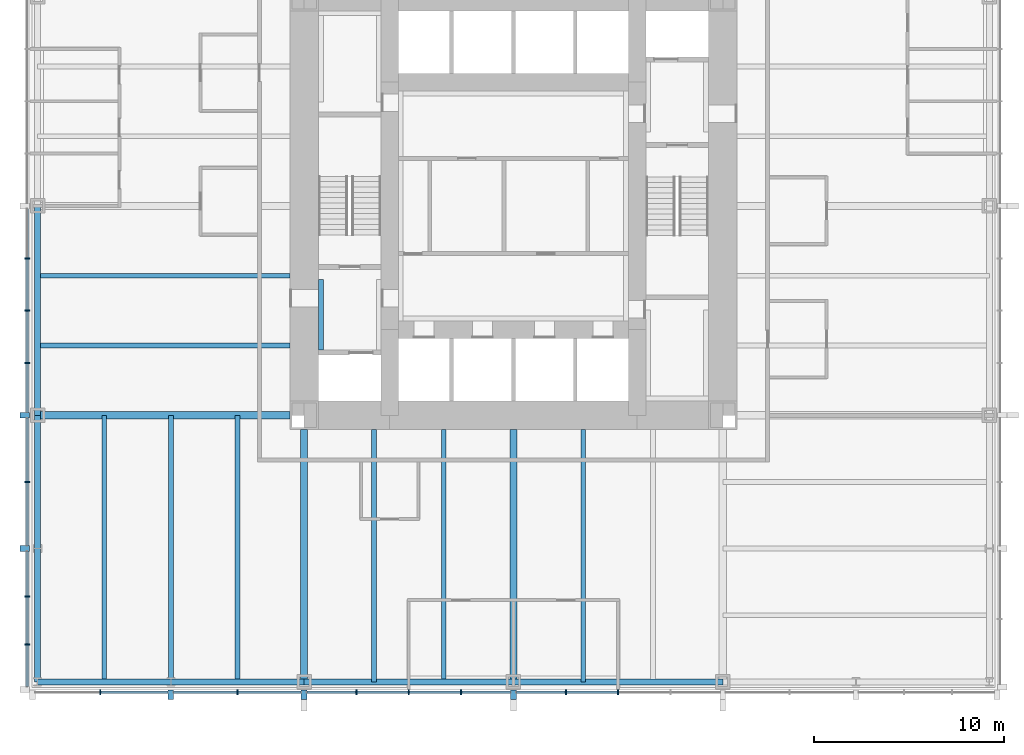
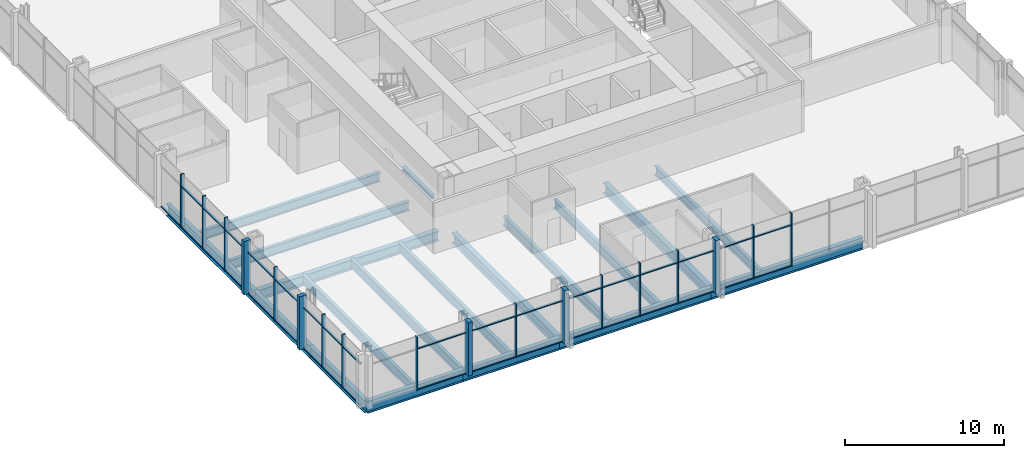
# One storey, part 2 of 12: 53 members, 19 beams, 2 elements without a shape of their own.
"""IFC4 building model written with IfcOpenShell, lengths in metres."""

import ifcopenshell
import ifcopenshell.guid

model = None  # the IFC model being written
_history = None  # IfcOwnerHistory: only IFC2X3 demands one
_inside = {}  # id of a spatial element -> (the spatial element, [elements in it])
_under = {}  # id of a project, library or spatial element -> (it, [spatial elements below it])
_declared = {}  # id of a project -> (the project, [libraries it declares])
_typed = {}  # id of a type object -> (the type object, [elements of that type])
_made_of = {}  # id of a material, layer set ... -> (it, [elements and type objects made of it])


def new_model(schema):
    """Start an empty IFC model of exactly this schema.

    Asked for "IFC4X3", IfcOpenShell would pick the latest addendum, in which some entities
    have other attributes; the version numbers below select the first issue.
    IFC2X3 requires an IfcOwnerHistory on every rooted entity: one is made here for all.
    """
    global model, _history
    if schema == "IFC4X3":
        model = ifcopenshell.file(schema_version=(4, 3, 0, 0))
    else:
        model = ifcopenshell.file(schema=schema)
    _inside.clear()
    _under.clear()
    _declared.clear()
    _typed.clear()
    _made_of.clear()
    _history = None
    if model.schema == "IFC2X3":
        org = make("IfcOrganization", Name="unknown")
        user = make(
            "IfcPersonAndOrganization",
            ThePerson=make("IfcPerson", FamilyName="unknown"),
            TheOrganization=org,
        )
        app = make(
            "IfcApplication",
            ApplicationDeveloper=org,
            Version="unknown",
            ApplicationFullName="unknown",
            ApplicationIdentifier="unknown",
        )
        _history = make(
            "IfcOwnerHistory",
            OwningUser=user,
            OwningApplication=app,
            ChangeAction="ADDED",
            CreationDate=0,
        )
    return model


def make(cls, **values):
    """One entity of the class cls with the attributes given. An attribute that is None is left unset."""
    return model.create_entity(
        cls, **{name: value for name, value in values.items() if value is not None}
    )


def rooted(cls, **values):
    """An entity with a GlobalId (a new one), such as an element, a storey or a relation."""
    return make(cls, GlobalId=ifcopenshell.guid.new(), OwnerHistory=_history, **values)


def si_unit(unit_type, name, prefix=None):
    """IfcSIUnit, for example si_unit("LENGTHUNIT", "METRE", prefix="MILLI")."""
    return make("IfcSIUnit", UnitType=unit_type, Prefix=prefix, Name=name)


def assignment(units):
    """IfcUnitAssignment: the units of a project."""
    return None if units is None else make("IfcUnitAssignment", Units=units)


def point(xyz):
    """IfcCartesianPoint."""
    return None if xyz is None else make("IfcCartesianPoint", Coordinates=xyz)


def direction(xyz):
    """IfcDirection."""
    return None if xyz is None else make("IfcDirection", DirectionRatios=xyz)


def frame(location, z_axis=None, x_axis=None):
    """IfcAxis2Placement3D, a coordinate frame: its origin and axes. An axis left out is left unset."""
    return make(
        "IfcAxis2Placement3D",
        Location=point(location),
        Axis=direction(z_axis),
        RefDirection=direction(x_axis),
    )


def frame_2d(location, x_axis=None):
    """IfcAxis2Placement2D, a coordinate frame in the plane: its origin and x axis."""
    return make(
        "IfcAxis2Placement2D", Location=point(location), RefDirection=direction(x_axis)
    )


def origin():
    """The frame at (0, 0, 0) with its axes left unset."""
    return frame((0.0, 0.0, 0.0))


def origin_2d():
    """The frame at (0, 0) in the plane with its x axis left unset."""
    return frame_2d((0.0, 0.0))


def place(relative_to, where):
    """IfcLocalPlacement: puts the frame where relative to a parent placement (None: the world)."""
    return make(
        "IfcLocalPlacement", PlacementRelTo=relative_to, RelativePlacement=where
    )


def context(
    kind, dimensions, precision=None, world=None, true_north=None, identifier=None
):
    """IfcGeometricRepresentationContext, for example the 3D "Model" context."""
    return make(
        "IfcGeometricRepresentationContext",
        ContextIdentifier=identifier,
        ContextType=kind,
        CoordinateSpaceDimension=dimensions,
        Precision=precision,
        WorldCoordinateSystem=world,
        TrueNorth=true_north,
    )


def subcontext(parent, identifier, kind, view, scale=None):
    """IfcGeometricRepresentationSubContext, for example "Body" below "Model"."""
    return make(
        "IfcGeometricRepresentationSubContext",
        ContextIdentifier=identifier,
        ContextType=kind,
        ParentContext=parent,
        TargetScale=scale,
        TargetView=view,
    )


def project(units=None, contexts=None):
    """IfcProject with its units and contexts."""
    return rooted(
        "IfcProject",
        Name="project",
        RepresentationContexts=contexts,
        UnitsInContext=assignment(units),
    )


def spatial(cls, under=None, at=None, **own):
    """A site, building, storey or space (cls), placed at a placement, below another one or the project."""
    s = rooted(cls, ObjectPlacement=at, **own)
    if under is not None:
        _under.setdefault(under.id(), (under, []))[1].append(s)
    return s


def profile(cls, at=None, kind="AREA", **sizes):
    """A parametric profile (cls). Its sizes go by their IFC names, for example OverallWidth=200.0."""
    return make(cls, ProfileType=kind, Position=at, **sizes)


def rectangle(**sizes):
    """IfcRectangleProfileDef."""
    return profile("IfcRectangleProfileDef", **sizes)


def i_section(**sizes):
    """IfcIShapeProfileDef."""
    return profile("IfcIShapeProfileDef", **sizes)


def extrude(swept, where, along, depth):
    """IfcExtrudedAreaSolid: the profile swept, set in the frame where, extruded along a direction by depth."""
    return make(
        "IfcExtrudedAreaSolid",
        SweptArea=swept,
        Position=where,
        ExtrudedDirection=direction(along),
        Depth=depth,
    )


def shape(context_of_items, identifier, shape_type, items):
    """IfcShapeRepresentation: the items that make up one representation, for example the "Body"."""
    return make(
        "IfcShapeRepresentation",
        ContextOfItems=context_of_items,
        RepresentationIdentifier=identifier,
        RepresentationType=shape_type,
        Items=items,
    )


def material(Name=None, Category=None):
    """IfcMaterial."""
    return make("IfcMaterial", Name=Name, Category=Category)


def material_profile(
    of_material, cross_section, Name=None, Category=None, Priority=None
):
    """IfcMaterialProfile: a cross section and its material."""
    return make(
        "IfcMaterialProfile",
        Name=Name,
        Material=of_material,
        Profile=cross_section,
        Priority=Priority,
        Category=Category,
    )


def profile_set(profiles, Name=None, composite=None):
    """IfcMaterialProfileSet."""
    return make(
        "IfcMaterialProfileSet",
        Name=Name,
        MaterialProfiles=profiles,
        CompositeProfile=composite,
    )


def made_of(thing, what):
    """Note that an element or type object is made of a material, layer set ...; save() writes the relation."""
    if what is not None:
        _made_of.setdefault(what.id(), (what, []))[1].append(thing)
    return thing


def type_object(cls, material=None, **own):
    """A type object (cls), such as IfcWallType, which elements share."""
    return made_of(rooted(cls, **own), material)


def element(
    cls,
    number,
    at=None,
    inside=None,
    cuts=None,
    type_object=None,
    material=None,
    context=None,
    identifier="Body",
    shape_type=None,
    held_by="IfcProductDefinitionShape",
    body=None,
    shapes=None,
    **own,
):
    """One element of the class cls, such as IfcWall. Its Tag is "e" and its number.

    at: its placement. inside: the storey or other place that contains it. cuts: it is an
    opening in that element (IfcRelVoidsElement). A single representation is given by context,
    identifier, shape_type and body (its items); several are given by shapes. held_by: the class
    of the entity that holds the representations. save() writes the other relations.
    """
    e = rooted(cls, Tag="e%d" % number, ObjectPlacement=at, **own)
    if body is not None:
        shapes = [shape(context, identifier, shape_type, body)]
    if shapes is not None:
        e.Representation = make(held_by, Representations=shapes)
    if inside is not None:
        _inside.setdefault(inside.id(), (inside, []))[1].append(e)
    if cuts is not None:
        rooted(
            "IfcRelVoidsElement", RelatingBuildingElement=cuts, RelatedOpeningElement=e
        )
    if type_object is not None:
        _typed.setdefault(type_object.id(), (type_object, []))[1].append(e)
    return made_of(e, material)


def aggregate(whole, parts):
    """IfcRelAggregates: a whole, such as a stair, and the parts it consists of."""
    return rooted("IfcRelAggregates", RelatingObject=whole, RelatedObjects=parts)


def save(model, path):
    """Write the relations noted so far, then the file.

    IfcRelAggregates (storeys below a building ...), IfcRelContainedInSpatialStructure (elements
    in a storey), IfcRelDefinesByType, IfcRelAssociatesMaterial and IfcRelDeclares: one each for
    every whole, place, type object, material and project.
    """
    for whole, parts in _under.values():
        aggregate(whole, parts)
    for where, things in _inside.values():
        rooted(
            "IfcRelContainedInSpatialStructure",
            RelatedElements=things,
            RelatingStructure=where,
        )
    for kind, things in _typed.values():
        rooted("IfcRelDefinesByType", RelatedObjects=things, RelatingType=kind)
    for what, things in _made_of.values():
        rooted("IfcRelAssociatesMaterial", RelatedObjects=things, RelatingMaterial=what)
    for by, libraries in _declared.values():
        rooted("IfcRelDeclares", RelatingContext=by, RelatedDefinitions=libraries)
    model.write(path)


model = new_model("IFC4")

# Units and contexts
model_context = context("Model", 3, precision=1e-05, world=origin(), true_north=direction((0.0, 1.0)))
body_context = subcontext(model_context, "Body", "Model", "MODEL_VIEW")
ifc_project = project(units=[si_unit("LENGTHUNIT", "METRE"), si_unit("AREAUNIT", "SQUARE_METRE"), si_unit("VOLUMEUNIT", "CUBIC_METRE"), si_unit("PLANEANGLEUNIT", "RADIAN"), si_unit("MASSUNIT", "GRAM", prefix="KILO")], contexts=[model_context])

# Site, building, storey
site_placement = place(None, origin())
site = spatial("IfcSite", under=ifc_project, at=site_placement, CompositionType="ELEMENT")
building_placement = place(site_placement, origin())
building = spatial("IfcBuilding", under=site, at=building_placement, Name="Trevanion Tower", CompositionType="ELEMENT")
storey_placement = place(building_placement, frame((0.0, 0.0, 61.10009765625)))
storey = spatial("IfcBuildingStorey", under=building, at=storey_placement, Name="L14", CompositionType="ELEMENT", Elevation=61.10009765625)

# Beams
ifc_material_1 = material(Name="Steel ASTM A992 Grade 50", Category="steel")
ifc_material_profile_1 = material_profile(ifc_material_1, i_section(OverallWidth=0.25390625, OverallDepth=0.700927734375, WebThickness=0.015380859375, FlangeThickness=0.02783203125, at=origin_2d()), Name="W27X129")
ifc_profile_set_1 = profile_set([ifc_material_profile_1], Name="Steel ASTM A992 Grade 50")
beam_type_1 = type_object("IfcBeamType", Name="B3 W27X129", PredefinedType="BEAM", material=ifc_profile_set_1)
for number, where, z_axis, x_axis, name in (
    (1, (-11.75, -3.666748046875, -0.54052734375), (-1.0, 0.0, 0.0), (0.0, -1.0, 0.0), "B3 L14"),
    (2, (-11.75, -7.333251953125, -0.54052734375), (-1.0, 0.0, 0.0), (0.0, -1.0, 0.0), "B3 L14"),
    (3, (-7.333251953125, -11.75, -0.54052734375), (0.0, -1.0, 0.0), (1.0, 0.0, 0.0), "B3 L14"),
    (4, (-3.666748046875, -11.75, -0.54052734375), (0.0, -1.0, 0.0), (1.0, 0.0, 0.0), "B3 L14"),
    (5, (3.666748046875, -11.75, -0.54052734375), (0.0, -1.0, 0.0), (1.0, 0.0, 0.0), "B3 L14"),
):
    element("IfcBeam", number, at=place(storey_placement, frame(where, z_axis=z_axis, x_axis=x_axis)), inside=storey, type_object=beam_type_1, Name=name, PredefinedType="BEAM", context=body_context, shape_type="SweptSolid", body=[
        extrude(i_section(OverallWidth=0.25390625, OverallDepth=0.700927734375, WebThickness=0.015380859375, FlangeThickness=0.02783203125, at=origin_2d()), origin(), (0.0, 0.0, 1.0), 13.25),
    ])
ifc_material_2 = material(Name="Steel ASTM A992 Grade 50", Category="steel")
ifc_material_profile_2 = material_profile(ifc_material_2, i_section(OverallWidth=0.256591796875, OverallDepth=0.693359375, WebThickness=0.014404296875, FlangeThickness=0.023681640625, at=origin_2d()), Name="W27X114")
ifc_profile_set_2 = profile_set([ifc_material_profile_2], Name="Steel ASTM A992 Grade 50")
beam_type_2 = type_object("IfcBeamType", Name="B4 W27X114", PredefinedType="BEAM", material=ifc_profile_set_2)
for number, where, z_axis, x_axis, name in (
    (6, (-14.5, -11.0, -0.536865234375), (0.0, -1.0, 0.0), (1.0, 0.0, 0.0), "B4 L14"),
    (7, (-18.0, -11.0, -0.536865234375), (0.0, -1.0, 0.0), (1.0, 0.0, 0.0), "B4 L14"),
    (8, (-21.5, -11.0, -0.536865234375), (0.0, -1.0, 0.0), (1.0, 0.0, 0.0), "B4 L14"),
):
    element("IfcBeam", number, at=place(storey_placement, frame(where, z_axis=z_axis, x_axis=x_axis)), inside=storey, type_object=beam_type_2, Name=name, PredefinedType="BEAM", context=body_context, shape_type="SweptSolid", body=[
        extrude(i_section(OverallWidth=0.256591796875, OverallDepth=0.693359375, WebThickness=0.014404296875, FlangeThickness=0.023681640625, at=origin_2d()), origin(), (0.0, 0.0, 1.0), 14.0),
    ])

# Curtain wall, members
ifc_material_3 = material(Name="Aluminium and glass", Category="aluminium")
curtain_wall_type = type_object("IfcCurtainWallType", Name="CW1 curtain wall", PredefinedType="USERDEFINED", material=ifc_material_3)
curtain_wall_1_placement = place(storey_placement, origin())
curtain_wall_1 = element("IfcCurtainWall", 9, at=curtain_wall_1_placement, inside=storey, type_object=curtain_wall_type, Name="CW1 L14 2", ObjectType="UNITISED CURTAIN WALL", PredefinedType="USERDEFINED")
ifc_material_4 = material(Name="Aluminium extrusion, anodised bronze", Category="aluminium")
ifc_material_profile_3 = material_profile(ifc_material_4, rectangle(XDim=0.074951171875, YDim=0.25, at=origin_2d()), Name="CW1 mullion")
ifc_profile_set_3 = profile_set([ifc_material_profile_3], Name="Aluminium extrusion, anodised bronze")
member_type_1 = type_object("IfcMemberType", Name="CW1 mullion", PredefinedType="MULLION", material=ifc_profile_set_3)
member_1_placement = place(storey_placement, frame((-25.550048828125, -2.75, -0.190185546875), z_axis=(0.0, 0.0, 1.0), x_axis=(0.0, -1.0, 0.0)))
member_1 = element("IfcMember", 10, at=member_1_placement, type_object=member_type_1, Name="CW1 mullion 10", PredefinedType="MULLION", context=body_context, shape_type="SweptSolid", body=[
    extrude(rectangle(XDim=0.074951171875, YDim=0.25, at=origin_2d()), origin(), (0.0, 0.0, 1.0), 4.10009765625),
])
member_2_placement = place(storey_placement, frame((-25.550048828125, -5.5, -0.190185546875), z_axis=(0.0, 0.0, 1.0), x_axis=(0.0, -1.0, 0.0)))
member_2 = element("IfcMember", 11, at=member_2_placement, type_object=member_type_1, Name="CW1 mullion 11", PredefinedType="MULLION", context=body_context, shape_type="SweptSolid", body=[
    extrude(rectangle(XDim=0.074951171875, YDim=0.25, at=origin_2d()), origin(), (0.0, 0.0, 1.0), 4.10009765625),
])
member_3_placement = place(storey_placement, frame((-25.550048828125, -8.25, -0.190185546875), z_axis=(0.0, 0.0, 1.0), x_axis=(0.0, -1.0, 0.0)))
member_3 = element("IfcMember", 12, at=member_3_placement, type_object=member_type_1, Name="CW1 mullion 12", PredefinedType="MULLION", context=body_context, shape_type="SweptSolid", body=[
    extrude(rectangle(XDim=0.074951171875, YDim=0.25, at=origin_2d()), origin(), (0.0, 0.0, 1.0), 4.10009765625),
])
member_4_placement = place(storey_placement, frame((-25.550048828125, -14.5, -0.190185546875), z_axis=(0.0, 0.0, 1.0), x_axis=(0.0, -1.0, 0.0)))
member_4 = element("IfcMember", 13, at=member_4_placement, type_object=member_type_1, Name="CW1 mullion 14", PredefinedType="MULLION", context=body_context, shape_type="SweptSolid", body=[
    extrude(rectangle(XDim=0.074951171875, YDim=0.25, at=origin_2d()), origin(), (0.0, 0.0, 1.0), 4.10009765625),
])
member_5_placement = place(storey_placement, frame((-25.550048828125, -20.5166015625, -0.190185546875), z_axis=(0.0, 0.0, 1.0), x_axis=(0.0, -1.0, 0.0)))
member_5 = element("IfcMember", 14, at=member_5_placement, type_object=member_type_1, Name="CW1 mullion 16", PredefinedType="MULLION", context=body_context, shape_type="SweptSolid", body=[
    extrude(rectangle(XDim=0.074951171875, YDim=0.25, at=origin_2d()), origin(), (0.0, 0.0, 1.0), 4.10009765625),
])
member_6_placement = place(storey_placement, frame((-25.550048828125, -23.033203125, -0.190185546875), z_axis=(0.0, 0.0, 1.0), x_axis=(0.0, -1.0, 0.0)))
member_6 = element("IfcMember", 15, at=member_6_placement, type_object=member_type_1, Name="CW1 mullion 17", PredefinedType="MULLION", context=body_context, shape_type="SweptSolid", body=[
    extrude(rectangle(XDim=0.074951171875, YDim=0.25, at=origin_2d()), origin(), (0.0, 0.0, 1.0), 4.10009765625),
])

curtain_wall_2_placement = place(storey_placement, origin())
curtain_wall_2 = element("IfcCurtainWall", 16, at=curtain_wall_2_placement, inside=storey, type_object=curtain_wall_type, Name="CW1 L14 3", ObjectType="UNITISED CURTAIN WALL", PredefinedType="USERDEFINED")
member_7_placement = place(storey_placement, frame((-21.7099609375, -25.550048828125, -0.190185546875), z_axis=(0.0, 0.0, 1.0), x_axis=(1.0, 0.0, 0.0)))
member_7 = element("IfcMember", 17, at=member_7_placement, type_object=member_type_1, Name="CW1 mullion 2", PredefinedType="MULLION", context=body_context, shape_type="SweptSolid", body=[
    extrude(rectangle(XDim=0.074951171875, YDim=0.25, at=origin_2d()), origin(), (0.0, 0.0, 1.0), 4.10009765625),
])
member_8_placement = place(storey_placement, frame((-14.5, -25.550048828125, -0.190185546875), z_axis=(0.0, 0.0, 1.0), x_axis=(1.0, 0.0, 0.0)))
member_8 = element("IfcMember", 18, at=member_8_placement, type_object=member_type_1, Name="CW1 mullion 4", PredefinedType="MULLION", context=body_context, shape_type="SweptSolid", body=[
    extrude(rectangle(XDim=0.074951171875, YDim=0.25, at=origin_2d()), origin(), (0.0, 0.0, 1.0), 4.10009765625),
])
member_9_placement = place(storey_placement, frame((-8.25, -25.550048828125, -0.190185546875), z_axis=(0.0, 0.0, 1.0), x_axis=(1.0, 0.0, 0.0)))
member_9 = element("IfcMember", 19, at=member_9_placement, type_object=member_type_1, Name="CW1 mullion 6", PredefinedType="MULLION", context=body_context, shape_type="SweptSolid", body=[
    extrude(rectangle(XDim=0.074951171875, YDim=0.25, at=origin_2d()), origin(), (0.0, 0.0, 1.0), 4.10009765625),
])
member_10_placement = place(storey_placement, frame((-5.5, -25.550048828125, -0.190185546875), z_axis=(0.0, 0.0, 1.0), x_axis=(1.0, 0.0, 0.0)))
member_10 = element("IfcMember", 20, at=member_10_placement, type_object=member_type_1, Name="CW1 mullion 7", PredefinedType="MULLION", context=body_context, shape_type="SweptSolid", body=[
    extrude(rectangle(XDim=0.074951171875, YDim=0.25, at=origin_2d()), origin(), (0.0, 0.0, 1.0), 4.10009765625),
])
member_11_placement = place(storey_placement, frame((-2.75, -25.550048828125, -0.190185546875), z_axis=(0.0, 0.0, 1.0), x_axis=(1.0, 0.0, 0.0)))
member_11 = element("IfcMember", 21, at=member_11_placement, type_object=member_type_1, Name="CW1 mullion 8", PredefinedType="MULLION", context=body_context, shape_type="SweptSolid", body=[
    extrude(rectangle(XDim=0.074951171875, YDim=0.25, at=origin_2d()), origin(), (0.0, 0.0, 1.0), 4.10009765625),
])
member_12_placement = place(storey_placement, frame((2.75, -25.550048828125, -0.190185546875), z_axis=(0.0, 0.0, 1.0), x_axis=(1.0, 0.0, 0.0)))
member_12 = element("IfcMember", 22, at=member_12_placement, type_object=member_type_1, Name="CW1 mullion 10", PredefinedType="MULLION", context=body_context, shape_type="SweptSolid", body=[
    extrude(rectangle(XDim=0.074951171875, YDim=0.25, at=origin_2d()), origin(), (0.0, 0.0, 1.0), 4.10009765625),
])
member_13_placement = place(storey_placement, frame((5.5, -25.550048828125, -0.190185546875), z_axis=(0.0, 0.0, 1.0), x_axis=(1.0, 0.0, 0.0)))
member_13 = element("IfcMember", 23, at=member_13_placement, type_object=member_type_1, Name="CW1 mullion 11", PredefinedType="MULLION", context=body_context, shape_type="SweptSolid", body=[
    extrude(rectangle(XDim=0.074951171875, YDim=0.25, at=origin_2d()), origin(), (0.0, 0.0, 1.0), 4.10009765625),
])

# Member
ifc_material_5 = material(Name="Aluminium extrusion, anodised bronze", Category="aluminium")
ifc_material_profile_4 = material_profile(ifc_material_5, rectangle(XDim=0.300048828125, YDim=0.5, at=origin_2d()), Name="CW1 pier mullion")
ifc_profile_set_4 = profile_set([ifc_material_profile_4], Name="Aluminium extrusion, anodised bronze")
member_type_2 = type_object("IfcMemberType", Name="CW1 pier mullion", PredefinedType="MULLION", material=ifc_profile_set_4)
member_14_placement = place(storey_placement, frame((-25.675048828125, -11.0, -0.190185546875), z_axis=(0.0, 0.0, 1.0), x_axis=(0.0, -1.0, 0.0)))
member_14 = element("IfcMember", 24, at=member_14_placement, type_object=member_type_2, Name="CW1 pier mullion 13", PredefinedType="MULLION", context=body_context, shape_type="SweptSolid", body=[
    extrude(rectangle(XDim=0.300048828125, YDim=0.5, at=origin_2d()), origin(), (0.0, 0.0, 1.0), 4.10009765625),
])

member_15_placement = place(storey_placement, frame((-25.675048828125, -18.0, -0.190185546875), z_axis=(0.0, 0.0, 1.0), x_axis=(0.0, -1.0, 0.0)))
member_15 = element("IfcMember", 25, at=member_15_placement, type_object=member_type_2, Name="CW1 pier mullion 15", PredefinedType="MULLION", context=body_context, shape_type="SweptSolid", body=[
    extrude(rectangle(XDim=0.300048828125, YDim=0.5, at=origin_2d()), origin(), (0.0, 0.0, 1.0), 4.10009765625),
])

member_16_placement = place(storey_placement, frame((-18.0, -25.675048828125, -0.190185546875), z_axis=(0.0, 0.0, 1.0), x_axis=(1.0, 0.0, 0.0)))
member_16 = element("IfcMember", 26, at=member_16_placement, type_object=member_type_2, Name="CW1 pier mullion 3", PredefinedType="MULLION", context=body_context, shape_type="SweptSolid", body=[
    extrude(rectangle(XDim=0.300048828125, YDim=0.5, at=origin_2d()), origin(), (0.0, 0.0, 1.0), 4.10009765625),
])

member_17_placement = place(storey_placement, frame((-11.0, -25.675048828125, -0.190185546875), z_axis=(0.0, 0.0, 1.0), x_axis=(1.0, 0.0, 0.0)))
member_17 = element("IfcMember", 27, at=member_17_placement, type_object=member_type_2, Name="CW1 pier mullion 5", PredefinedType="MULLION", context=body_context, shape_type="SweptSolid", body=[
    extrude(rectangle(XDim=0.300048828125, YDim=0.5, at=origin_2d()), origin(), (0.0, 0.0, 1.0), 4.10009765625),
])

member_18_placement = place(storey_placement, frame((0.0, -25.675048828125, -0.190185546875), z_axis=(0.0, 0.0, 1.0), x_axis=(1.0, 0.0, 0.0)))
member_18 = element("IfcMember", 28, at=member_18_placement, type_object=member_type_2, Name="CW1 pier mullion 9", PredefinedType="MULLION", context=body_context, shape_type="SweptSolid", body=[
    extrude(rectangle(XDim=0.300048828125, YDim=0.5, at=origin_2d()), origin(), (0.0, 0.0, 1.0), 4.10009765625),
])

ifc_material_6 = material(Name="Aluminium extrusion, anodised bronze", Category="aluminium")
ifc_material_profile_5 = material_profile(ifc_material_6, rectangle(XDim=0.14990234375, YDim=0.074951171875, at=origin_2d()), Name="CW1 transom")
ifc_profile_set_5 = profile_set([ifc_material_profile_5], Name="Aluminium extrusion, anodised bronze")
member_type_3 = type_object("IfcMemberType", Name="CW1 transom", PredefinedType="USERDEFINED", material=ifc_profile_set_5)
member_19_placement = place(storey_placement, frame((-25.550048828125, -0.14990234375, -0.152587890625), z_axis=(0.0, -1.0, 0.0), x_axis=(1.0, 0.0, 0.0)))
member_19 = element("IfcMember", 29, at=member_19_placement, type_object=member_type_3, Name="CW1 transom 9.1", ObjectType="TRANSOM", PredefinedType="USERDEFINED", context=body_context, shape_type="SweptSolid", body=[
    extrude(rectangle(XDim=0.14990234375, YDim=0.074951171875, at=origin_2d()), origin(), (0.0, 0.0, 1.0), 2.5625),
])

member_20_placement = place(storey_placement, frame((-25.550048828125, -2.78759765625, -0.152587890625), z_axis=(0.0, -1.0, 0.0), x_axis=(1.0, 0.0, 0.0)))
member_20 = element("IfcMember", 30, at=member_20_placement, type_object=member_type_3, Name="CW1 transom 10.1", ObjectType="TRANSOM", PredefinedType="USERDEFINED", context=body_context, shape_type="SweptSolid", body=[
    extrude(rectangle(XDim=0.14990234375, YDim=0.074951171875, at=origin_2d()), origin(), (0.0, 0.0, 1.0), 2.6748046875),
])

member_21_placement = place(storey_placement, frame((-25.550048828125, -2.78759765625, 2.9599609375), z_axis=(0.0, -1.0, 0.0), x_axis=(1.0, 0.0, 0.0)))
member_21 = element("IfcMember", 31, at=member_21_placement, type_object=member_type_3, Name="CW1 transom 10.2", ObjectType="TRANSOM", PredefinedType="USERDEFINED", context=body_context, shape_type="SweptSolid", body=[
    extrude(rectangle(XDim=0.14990234375, YDim=0.074951171875, at=origin_2d()), origin(), (0.0, 0.0, 1.0), 2.6748046875),
])

member_22_placement = place(storey_placement, frame((-25.550048828125, -5.53759765625, -0.152587890625), z_axis=(0.0, -1.0, 0.0), x_axis=(1.0, 0.0, 0.0)))
member_22 = element("IfcMember", 32, at=member_22_placement, type_object=member_type_3, Name="CW1 transom 11.1", ObjectType="TRANSOM", PredefinedType="USERDEFINED", context=body_context, shape_type="SweptSolid", body=[
    extrude(rectangle(XDim=0.14990234375, YDim=0.074951171875, at=origin_2d()), origin(), (0.0, 0.0, 1.0), 2.6748046875),
])

member_23_placement = place(storey_placement, frame((-25.550048828125, -5.53759765625, 2.9599609375), z_axis=(0.0, -1.0, 0.0), x_axis=(1.0, 0.0, 0.0)))
member_23 = element("IfcMember", 33, at=member_23_placement, type_object=member_type_3, Name="CW1 transom 11.2", ObjectType="TRANSOM", PredefinedType="USERDEFINED", context=body_context, shape_type="SweptSolid", body=[
    extrude(rectangle(XDim=0.14990234375, YDim=0.074951171875, at=origin_2d()), origin(), (0.0, 0.0, 1.0), 2.6748046875),
])

member_24_placement = place(storey_placement, frame((-25.550048828125, -8.28759765625, -0.152587890625), z_axis=(0.0, -1.0, 0.0), x_axis=(1.0, 0.0, 0.0)))
member_24 = element("IfcMember", 34, at=member_24_placement, type_object=member_type_3, Name="CW1 transom 12.1", ObjectType="TRANSOM", PredefinedType="USERDEFINED", context=body_context, shape_type="SweptSolid", body=[
    extrude(rectangle(XDim=0.14990234375, YDim=0.074951171875, at=origin_2d()), origin(), (0.0, 0.0, 1.0), 2.5625),
])

member_25_placement = place(storey_placement, frame((-25.550048828125, -8.28759765625, 2.9599609375), z_axis=(0.0, -1.0, 0.0), x_axis=(1.0, 0.0, 0.0)))
member_25 = element("IfcMember", 35, at=member_25_placement, type_object=member_type_3, Name="CW1 transom 12.2", ObjectType="TRANSOM", PredefinedType="USERDEFINED", context=body_context, shape_type="SweptSolid", body=[
    extrude(rectangle(XDim=0.14990234375, YDim=0.074951171875, at=origin_2d()), origin(), (0.0, 0.0, 1.0), 2.5625),
])

member_26_placement = place(storey_placement, frame((-25.550048828125, -11.14990234375, -0.152587890625), z_axis=(0.0, -1.0, 0.0), x_axis=(1.0, 0.0, 0.0)))
member_26 = element("IfcMember", 36, at=member_26_placement, type_object=member_type_3, Name="CW1 transom 13.1", ObjectType="TRANSOM", PredefinedType="USERDEFINED", context=body_context, shape_type="SweptSolid", body=[
    extrude(rectangle(XDim=0.14990234375, YDim=0.074951171875, at=origin_2d()), origin(), (0.0, 0.0, 1.0), 3.3125),
])

member_27_placement = place(storey_placement, frame((-25.550048828125, -11.14990234375, 2.9599609375), z_axis=(0.0, -1.0, 0.0), x_axis=(1.0, 0.0, 0.0)))
member_27 = element("IfcMember", 37, at=member_27_placement, type_object=member_type_3, Name="CW1 transom 13.2", ObjectType="TRANSOM", PredefinedType="USERDEFINED", context=body_context, shape_type="SweptSolid", body=[
    extrude(rectangle(XDim=0.14990234375, YDim=0.074951171875, at=origin_2d()), origin(), (0.0, 0.0, 1.0), 3.3125),
])

member_28_placement = place(storey_placement, frame((-25.550048828125, -14.53759765625, -0.152587890625), z_axis=(0.0, -1.0, 0.0), x_axis=(1.0, 0.0, 0.0)))
member_28 = element("IfcMember", 38, at=member_28_placement, type_object=member_type_3, Name="CW1 transom 14.1", ObjectType="TRANSOM", PredefinedType="USERDEFINED", context=body_context, shape_type="SweptSolid", body=[
    extrude(rectangle(XDim=0.14990234375, YDim=0.074951171875, at=origin_2d()), origin(), (0.0, 0.0, 1.0), 3.3125),
])

member_29_placement = place(storey_placement, frame((-25.550048828125, -14.53759765625, 2.9599609375), z_axis=(0.0, -1.0, 0.0), x_axis=(1.0, 0.0, 0.0)))
member_29 = element("IfcMember", 39, at=member_29_placement, type_object=member_type_3, Name="CW1 transom 14.2", ObjectType="TRANSOM", PredefinedType="USERDEFINED", context=body_context, shape_type="SweptSolid", body=[
    extrude(rectangle(XDim=0.14990234375, YDim=0.074951171875, at=origin_2d()), origin(), (0.0, 0.0, 1.0), 3.3125),
])

member_30_placement = place(storey_placement, frame((-25.550048828125, -18.14990234375, -0.152587890625), z_axis=(0.0, -1.0, 0.0), x_axis=(1.0, 0.0, 0.0)))
member_30 = element("IfcMember", 40, at=member_30_placement, type_object=member_type_3, Name="CW1 transom 15.1", ObjectType="TRANSOM", PredefinedType="USERDEFINED", context=body_context, shape_type="SweptSolid", body=[
    extrude(rectangle(XDim=0.14990234375, YDim=0.074951171875, at=origin_2d()), origin(), (0.0, 0.0, 1.0), 2.329345703125),
])

member_31_placement = place(storey_placement, frame((-25.550048828125, -18.14990234375, 2.9599609375), z_axis=(0.0, -1.0, 0.0), x_axis=(1.0, 0.0, 0.0)))
member_31 = element("IfcMember", 41, at=member_31_placement, type_object=member_type_3, Name="CW1 transom 15.2", ObjectType="TRANSOM", PredefinedType="USERDEFINED", context=body_context, shape_type="SweptSolid", body=[
    extrude(rectangle(XDim=0.14990234375, YDim=0.074951171875, at=origin_2d()), origin(), (0.0, 0.0, 1.0), 2.329345703125),
])

member_32_placement = place(storey_placement, frame((-25.550048828125, -20.55419921875, -0.152587890625), z_axis=(0.0, -1.0, 0.0), x_axis=(1.0, 0.0, 0.0)))
member_32 = element("IfcMember", 42, at=member_32_placement, type_object=member_type_3, Name="CW1 transom 16.1", ObjectType="TRANSOM", PredefinedType="USERDEFINED", context=body_context, shape_type="SweptSolid", body=[
    extrude(rectangle(XDim=0.14990234375, YDim=0.074951171875, at=origin_2d()), origin(), (0.0, 0.0, 1.0), 2.441650390625),
])

member_33_placement = place(storey_placement, frame((-25.550048828125, -20.55419921875, 2.9599609375), z_axis=(0.0, -1.0, 0.0), x_axis=(1.0, 0.0, 0.0)))
member_33 = element("IfcMember", 43, at=member_33_placement, type_object=member_type_3, Name="CW1 transom 16.2", ObjectType="TRANSOM", PredefinedType="USERDEFINED", context=body_context, shape_type="SweptSolid", body=[
    extrude(rectangle(XDim=0.14990234375, YDim=0.074951171875, at=origin_2d()), origin(), (0.0, 0.0, 1.0), 2.441650390625),
])

member_34_placement = place(storey_placement, frame((-25.550048828125, -23.07080078125, -0.152587890625), z_axis=(0.0, -1.0, 0.0), x_axis=(1.0, 0.0, 0.0)))
member_34 = element("IfcMember", 44, at=member_34_placement, type_object=member_type_3, Name="CW1 transom 17.1", ObjectType="TRANSOM", PredefinedType="USERDEFINED", context=body_context, shape_type="SweptSolid", body=[
    extrude(rectangle(XDim=0.14990234375, YDim=0.074951171875, at=origin_2d()), origin(), (0.0, 0.0, 1.0), 2.17919921875),
])

member_35_placement = place(storey_placement, frame((-25.550048828125, -23.07080078125, 2.9599609375), z_axis=(0.0, -1.0, 0.0), x_axis=(1.0, 0.0, 0.0)))
member_35 = element("IfcMember", 45, at=member_35_placement, type_object=member_type_3, Name="CW1 transom 17.2", ObjectType="TRANSOM", PredefinedType="USERDEFINED", context=body_context, shape_type="SweptSolid", body=[
    extrude(rectangle(XDim=0.14990234375, YDim=0.074951171875, at=origin_2d()), origin(), (0.0, 0.0, 1.0), 2.17919921875),
])

aggregate(curtain_wall_1, [member_1, member_2, member_3, member_14, member_4, member_15, member_5, member_6, member_19, member_20, member_21, member_22, member_23, member_24, member_25, member_26, member_27, member_28, member_29, member_30, member_31, member_32, member_33, member_34, member_35])

member_36_placement = place(storey_placement, frame((-21.672607421875, -25.550048828125, -0.152587890625), z_axis=(1.0, 0.0, 0.0), x_axis=(0.0, 1.0, 0.0)))
member_36 = element("IfcMember", 46, at=member_36_placement, type_object=member_type_3, Name="CW1 transom 2.1", ObjectType="TRANSOM", PredefinedType="USERDEFINED", context=body_context, shape_type="SweptSolid", body=[
    extrude(rectangle(XDim=0.14990234375, YDim=0.074951171875, at=origin_2d()), origin(), (0.0, 0.0, 1.0), 3.522705078125),
])

member_37_placement = place(storey_placement, frame((-21.672607421875, -25.550048828125, 2.9599609375), z_axis=(1.0, 0.0, 0.0), x_axis=(0.0, 1.0, 0.0)))
member_37 = element("IfcMember", 47, at=member_37_placement, type_object=member_type_3, Name="CW1 transom 2.2", ObjectType="TRANSOM", PredefinedType="USERDEFINED", context=body_context, shape_type="SweptSolid", body=[
    extrude(rectangle(XDim=0.14990234375, YDim=0.074951171875, at=origin_2d()), origin(), (0.0, 0.0, 1.0), 3.522705078125),
])

member_38_placement = place(storey_placement, frame((-17.85009765625, -25.550048828125, -0.152587890625), z_axis=(1.0, 0.0, 0.0), x_axis=(0.0, 1.0, 0.0)))
member_38 = element("IfcMember", 48, at=member_38_placement, type_object=member_type_3, Name="CW1 transom 3.1", ObjectType="TRANSOM", PredefinedType="USERDEFINED", context=body_context, shape_type="SweptSolid", body=[
    extrude(rectangle(XDim=0.14990234375, YDim=0.074951171875, at=origin_2d()), origin(), (0.0, 0.0, 1.0), 3.3125),
])

member_39_placement = place(storey_placement, frame((-17.85009765625, -25.550048828125, 2.9599609375), z_axis=(1.0, 0.0, 0.0), x_axis=(0.0, 1.0, 0.0)))
member_39 = element("IfcMember", 49, at=member_39_placement, type_object=member_type_3, Name="CW1 transom 3.2", ObjectType="TRANSOM", PredefinedType="USERDEFINED", context=body_context, shape_type="SweptSolid", body=[
    extrude(rectangle(XDim=0.14990234375, YDim=0.074951171875, at=origin_2d()), origin(), (0.0, 0.0, 1.0), 3.3125),
])

member_40_placement = place(storey_placement, frame((-14.46240234375, -25.550048828125, -0.152587890625), z_axis=(1.0, 0.0, 0.0), x_axis=(0.0, 1.0, 0.0)))
member_40 = element("IfcMember", 50, at=member_40_placement, type_object=member_type_3, Name="CW1 transom 4.1", ObjectType="TRANSOM", PredefinedType="USERDEFINED", context=body_context, shape_type="SweptSolid", body=[
    extrude(rectangle(XDim=0.14990234375, YDim=0.074951171875, at=origin_2d()), origin(), (0.0, 0.0, 1.0), 3.3125),
])

member_41_placement = place(storey_placement, frame((-14.46240234375, -25.550048828125, 2.9599609375), z_axis=(1.0, 0.0, 0.0), x_axis=(0.0, 1.0, 0.0)))
member_41 = element("IfcMember", 51, at=member_41_placement, type_object=member_type_3, Name="CW1 transom 4.2", ObjectType="TRANSOM", PredefinedType="USERDEFINED", context=body_context, shape_type="SweptSolid", body=[
    extrude(rectangle(XDim=0.14990234375, YDim=0.074951171875, at=origin_2d()), origin(), (0.0, 0.0, 1.0), 3.3125),
])

member_42_placement = place(storey_placement, frame((-10.85009765625, -25.550048828125, -0.152587890625), z_axis=(1.0, 0.0, 0.0), x_axis=(0.0, 1.0, 0.0)))
member_42 = element("IfcMember", 52, at=member_42_placement, type_object=member_type_3, Name="CW1 transom 5.1", ObjectType="TRANSOM", PredefinedType="USERDEFINED", context=body_context, shape_type="SweptSolid", body=[
    extrude(rectangle(XDim=0.14990234375, YDim=0.074951171875, at=origin_2d()), origin(), (0.0, 0.0, 1.0), 2.5625),
])

member_43_placement = place(storey_placement, frame((-10.85009765625, -25.550048828125, 2.9599609375), z_axis=(1.0, 0.0, 0.0), x_axis=(0.0, 1.0, 0.0)))
member_43 = element("IfcMember", 53, at=member_43_placement, type_object=member_type_3, Name="CW1 transom 5.2", ObjectType="TRANSOM", PredefinedType="USERDEFINED", context=body_context, shape_type="SweptSolid", body=[
    extrude(rectangle(XDim=0.14990234375, YDim=0.074951171875, at=origin_2d()), origin(), (0.0, 0.0, 1.0), 2.5625),
])

member_44_placement = place(storey_placement, frame((-8.21240234375, -25.550048828125, -0.152587890625), z_axis=(1.0, 0.0, 0.0), x_axis=(0.0, 1.0, 0.0)))
member_44 = element("IfcMember", 54, at=member_44_placement, type_object=member_type_3, Name="CW1 transom 6.1", ObjectType="TRANSOM", PredefinedType="USERDEFINED", context=body_context, shape_type="SweptSolid", body=[
    extrude(rectangle(XDim=0.14990234375, YDim=0.074951171875, at=origin_2d()), origin(), (0.0, 0.0, 1.0), 2.6748046875),
])

member_45_placement = place(storey_placement, frame((-8.21240234375, -25.550048828125, 2.9599609375), z_axis=(1.0, 0.0, 0.0), x_axis=(0.0, 1.0, 0.0)))
member_45 = element("IfcMember", 55, at=member_45_placement, type_object=member_type_3, Name="CW1 transom 6.2", ObjectType="TRANSOM", PredefinedType="USERDEFINED", context=body_context, shape_type="SweptSolid", body=[
    extrude(rectangle(XDim=0.14990234375, YDim=0.074951171875, at=origin_2d()), origin(), (0.0, 0.0, 1.0), 2.6748046875),
])

member_46_placement = place(storey_placement, frame((-5.46240234375, -25.550048828125, -0.152587890625), z_axis=(1.0, 0.0, 0.0), x_axis=(0.0, 1.0, 0.0)))
member_46 = element("IfcMember", 56, at=member_46_placement, type_object=member_type_3, Name="CW1 transom 7.1", ObjectType="TRANSOM", PredefinedType="USERDEFINED", context=body_context, shape_type="SweptSolid", body=[
    extrude(rectangle(XDim=0.14990234375, YDim=0.074951171875, at=origin_2d()), origin(), (0.0, 0.0, 1.0), 2.6748046875),
])

member_47_placement = place(storey_placement, frame((-5.46240234375, -25.550048828125, 2.9599609375), z_axis=(1.0, 0.0, 0.0), x_axis=(0.0, 1.0, 0.0)))
member_47 = element("IfcMember", 57, at=member_47_placement, type_object=member_type_3, Name="CW1 transom 7.2", ObjectType="TRANSOM", PredefinedType="USERDEFINED", context=body_context, shape_type="SweptSolid", body=[
    extrude(rectangle(XDim=0.14990234375, YDim=0.074951171875, at=origin_2d()), origin(), (0.0, 0.0, 1.0), 2.6748046875),
])

member_48_placement = place(storey_placement, frame((-2.71240234375, -25.550048828125, -0.152587890625), z_axis=(1.0, 0.0, 0.0), x_axis=(0.0, 1.0, 0.0)))
member_48 = element("IfcMember", 58, at=member_48_placement, type_object=member_type_3, Name="CW1 transom 8.1", ObjectType="TRANSOM", PredefinedType="USERDEFINED", context=body_context, shape_type="SweptSolid", body=[
    extrude(rectangle(XDim=0.14990234375, YDim=0.074951171875, at=origin_2d()), origin(), (0.0, 0.0, 1.0), 2.5625),
])

member_49_placement = place(storey_placement, frame((-2.71240234375, -25.550048828125, 2.9599609375), z_axis=(1.0, 0.0, 0.0), x_axis=(0.0, 1.0, 0.0)))
member_49 = element("IfcMember", 59, at=member_49_placement, type_object=member_type_3, Name="CW1 transom 8.2", ObjectType="TRANSOM", PredefinedType="USERDEFINED", context=body_context, shape_type="SweptSolid", body=[
    extrude(rectangle(XDim=0.14990234375, YDim=0.074951171875, at=origin_2d()), origin(), (0.0, 0.0, 1.0), 2.5625),
])

member_50_placement = place(storey_placement, frame((0.14990234375, -25.550048828125, -0.152587890625), z_axis=(1.0, 0.0, 0.0), x_axis=(0.0, 1.0, 0.0)))
member_50 = element("IfcMember", 60, at=member_50_placement, type_object=member_type_3, Name="CW1 transom 9.1", ObjectType="TRANSOM", PredefinedType="USERDEFINED", context=body_context, shape_type="SweptSolid", body=[
    extrude(rectangle(XDim=0.14990234375, YDim=0.074951171875, at=origin_2d()), origin(), (0.0, 0.0, 1.0), 2.5625),
])

member_51_placement = place(storey_placement, frame((0.14990234375, -25.550048828125, 2.9599609375), z_axis=(1.0, 0.0, 0.0), x_axis=(0.0, 1.0, 0.0)))
member_51 = element("IfcMember", 61, at=member_51_placement, type_object=member_type_3, Name="CW1 transom 9.2", ObjectType="TRANSOM", PredefinedType="USERDEFINED", context=body_context, shape_type="SweptSolid", body=[
    extrude(rectangle(XDim=0.14990234375, YDim=0.074951171875, at=origin_2d()), origin(), (0.0, 0.0, 1.0), 2.5625),
])

member_52_placement = place(storey_placement, frame((2.78759765625, -25.550048828125, -0.152587890625), z_axis=(1.0, 0.0, 0.0), x_axis=(0.0, 1.0, 0.0)))
member_52 = element("IfcMember", 62, at=member_52_placement, type_object=member_type_3, Name="CW1 transom 10.1", ObjectType="TRANSOM", PredefinedType="USERDEFINED", context=body_context, shape_type="SweptSolid", body=[
    extrude(rectangle(XDim=0.14990234375, YDim=0.074951171875, at=origin_2d()), origin(), (0.0, 0.0, 1.0), 2.6748046875),
])

member_53_placement = place(storey_placement, frame((2.78759765625, -25.550048828125, 2.9599609375), z_axis=(1.0, 0.0, 0.0), x_axis=(0.0, 1.0, 0.0)))
member_53 = element("IfcMember", 63, at=member_53_placement, type_object=member_type_3, Name="CW1 transom 10.2", ObjectType="TRANSOM", PredefinedType="USERDEFINED", context=body_context, shape_type="SweptSolid", body=[
    extrude(rectangle(XDim=0.14990234375, YDim=0.074951171875, at=origin_2d()), origin(), (0.0, 0.0, 1.0), 2.6748046875),
])

aggregate(curtain_wall_2, [member_7, member_16, member_8, member_17, member_9, member_10, member_11, member_18, member_12, member_13, member_36, member_37, member_38, member_39, member_40, member_41, member_42, member_43, member_44, member_45, member_46, member_47, member_48, member_49, member_50, member_51, member_52, member_53])

# Beams
ifc_material_7 = material(Name="Steel ASTM A992 Grade 50", Category="steel")
ifc_material_profile_6 = material_profile(ifc_material_7, i_section(OverallWidth=0.381103515625, OverallDepth=0.77978515625, WebThickness=0.01806640625, FlangeThickness=0.0302734375, at=origin_2d()), Name="W30X191")
ifc_profile_set_6 = profile_set([ifc_material_profile_6], Name="Steel ASTM A992 Grade 50")
beam_type_3 = type_object("IfcBeamType", Name="G2 W30X191", PredefinedType="BEAM", material=ifc_profile_set_6)
for number, where, z_axis, x_axis, name in (
    (64, (-11.75, -11.0, -0.580078125), (-1.0, 0.0, 0.0), (0.0, -1.0, 0.0), "G2 L14"),
    (65, (-11.0, -11.75, -0.580078125), (0.0, -1.0, 0.0), (1.0, 0.0, 0.0), "G2 L14"),
    (66, (0.0, -11.75, -0.580078125), (0.0, -1.0, 0.0), (1.0, 0.0, 0.0), "G2 L14"),
):
    element("IfcBeam", number, at=place(storey_placement, frame(where, z_axis=z_axis, x_axis=x_axis)), inside=storey, type_object=beam_type_3, Name=name, PredefinedType="BEAM", context=body_context, shape_type="SweptSolid", body=[
        extrude(i_section(OverallWidth=0.381103515625, OverallDepth=0.77978515625, WebThickness=0.01806640625, FlangeThickness=0.0302734375, at=origin_2d()), origin(), (0.0, 0.0, 1.0), 13.25),
    ])
ifc_material_8 = material(Name="Steel ASTM A992 Grade 50", Category="steel")
ifc_material_profile_7 = material_profile(ifc_material_8, i_section(OverallWidth=0.256591796875, OverallDepth=0.26416015625, WebThickness=0.011962890625, FlangeThickness=0.01953125, at=origin_2d()), Name="W10X68")
ifc_profile_set_7 = profile_set([ifc_material_profile_7], Name="Steel ASTM A992 Grade 50")
beam_type_4 = type_object("IfcBeamType", Name="LB1 W10X68", PredefinedType="BEAM", material=ifc_profile_set_7)
beam_1_placement = place(storey_placement, frame((-10.12158203125, -7.574951171875, -0.332275390625), z_axis=(0.0, 1.0, 0.0), x_axis=(-1.0, 0.0, 0.0)))
element("IfcBeam", 67, at=beam_1_placement, inside=storey, type_object=beam_type_4, Name="LB1 L14", PredefinedType="BEAM", context=body_context, shape_type="SweptSolid", body=[
    extrude(i_section(OverallWidth=0.256591796875, OverallDepth=0.26416015625, WebThickness=0.011962890625, FlangeThickness=0.01953125, at=origin_2d()), origin(), (0.0, 0.0, 1.0), 3.699951171875),
])
ifc_material_9 = material(Name="Steel ASTM A992 Grade 50", Category="steel")
ifc_material_profile_8 = material_profile(ifc_material_9, i_section(OverallWidth=0.307373046875, OverallDepth=0.927001953125, WebThickness=0.01953125, FlangeThickness=0.031982421875, at=origin_2d()), Name="W36X194")
ifc_profile_set_8 = profile_set([ifc_material_profile_8], Name="Steel ASTM A992 Grade 50")
beam_type_5 = type_object("IfcBeamType", Name="SB2 W36X194", PredefinedType="SPANDREL", material=ifc_profile_set_8)
beam_2_placement = place(storey_placement, frame((-25.0, 0.0, -0.653564453125), z_axis=(0.0, -1.0, 0.0), x_axis=(1.0, 0.0, 0.0)))
element("IfcBeam", 68, at=beam_2_placement, inside=storey, type_object=beam_type_5, Name="SB2 L14", PredefinedType="SPANDREL", context=body_context, shape_type="SweptSolid", body=[
    extrude(i_section(OverallWidth=0.307373046875, OverallDepth=0.927001953125, WebThickness=0.01953125, FlangeThickness=0.031982421875, at=origin_2d()), origin(), (0.0, 0.0, 1.0), 11.0),
])
for number, where, z_axis, x_axis, name in (
    (69, (-25.0, -11.0, -0.653564453125), (0.0, -1.0, 0.0), (1.0, 0.0, 0.0), "SB2 L14"),
    (70, (-25.0, -18.0, -0.653564453125), (0.0, -1.0, 0.0), (1.0, 0.0, 0.0), "SB2 L14"),
    (71, (-25.0, -25.0, -0.653564453125), (1.0, 0.0, 0.0), (0.0, 1.0, 0.0), "SB2 L14"),
    (72, (-18.0, -25.0, -0.653564453125), (1.0, 0.0, 0.0), (0.0, 1.0, 0.0), "SB2 L14"),
):
    element("IfcBeam", number, at=place(storey_placement, frame(where, z_axis=z_axis, x_axis=x_axis)), inside=storey, type_object=beam_type_5, Name=name, PredefinedType="SPANDREL", context=body_context, shape_type="SweptSolid", body=[
        extrude(i_section(OverallWidth=0.307373046875, OverallDepth=0.927001953125, WebThickness=0.01953125, FlangeThickness=0.031982421875, at=origin_2d()), origin(), (0.0, 0.0, 1.0), 7.0),
    ])
for number, where, z_axis, x_axis, name in (
    (73, (-11.0, -25.0, -0.653564453125), (1.0, 0.0, 0.0), (0.0, 1.0, 0.0), "SB2 L14"),
    (74, (0.0, -25.0, -0.653564453125), (1.0, 0.0, 0.0), (0.0, 1.0, 0.0), "SB2 L14"),
):
    element("IfcBeam", number, at=place(storey_placement, frame(where, z_axis=z_axis, x_axis=x_axis)), inside=storey, type_object=beam_type_5, Name=name, PredefinedType="SPANDREL", context=body_context, shape_type="SweptSolid", body=[
        extrude(i_section(OverallWidth=0.307373046875, OverallDepth=0.927001953125, WebThickness=0.01953125, FlangeThickness=0.031982421875, at=origin_2d()), origin(), (0.0, 0.0, 1.0), 11.0),
    ])

save(model, "model.ifc")
